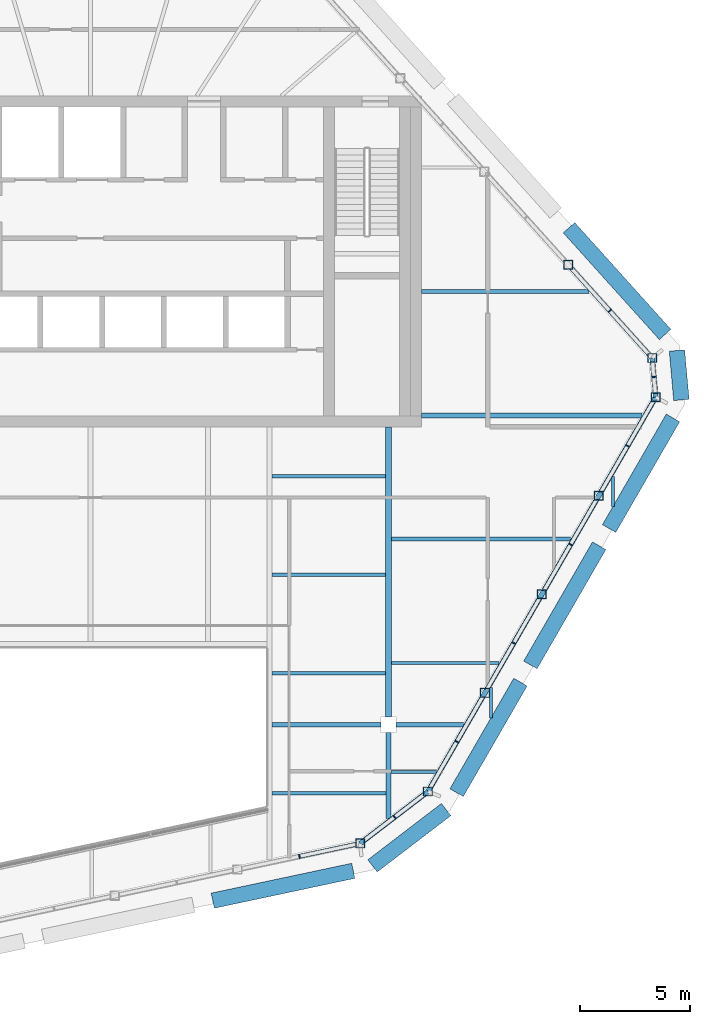
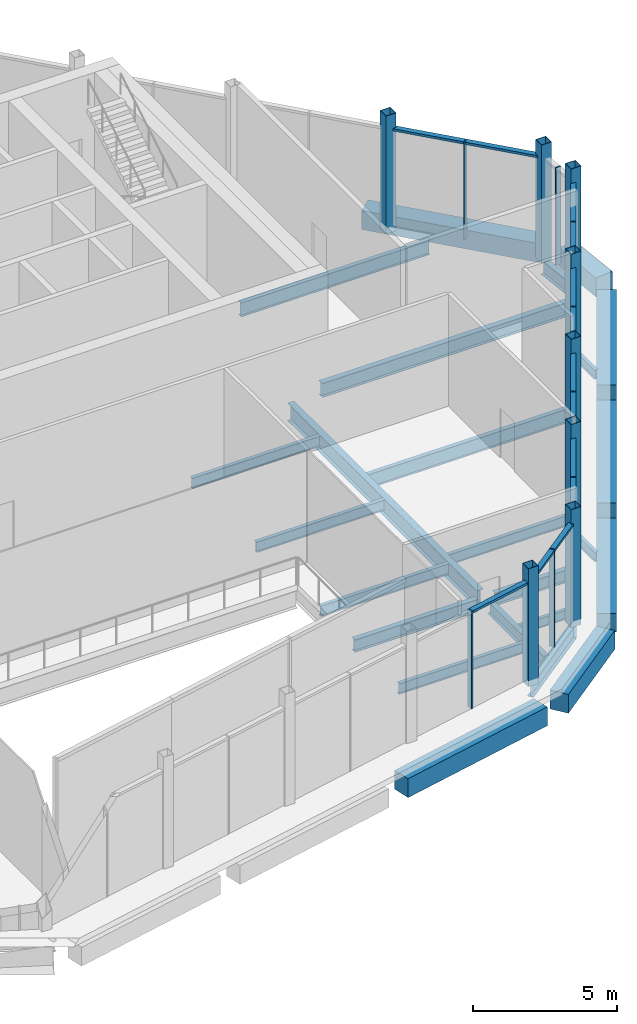
# One storey, part 4 of 12: 29 members, 25 beams, 5 elements without a shape of their own.
"""IFC4 building model written with IfcOpenShell, lengths in metres."""

from ifc_helpers import new_model, si_unit, direction, frame, origin, origin_2d, place, context, subcontext, project, spatial, rectangle, hollow_rectangle, i_section, extrude, material, layer, layer_set, material_profile, profile_set, type_object, element, aggregate, save


model = new_model("IFC4")

# Units and contexts
model_context = context("Model", 3, precision=1e-05, world=origin(), true_north=direction((0.0, 1.0)))
body_context = subcontext(model_context, "Body", "Model", "MODEL_VIEW")
ifc_project = project(units=[si_unit("LENGTHUNIT", "METRE"), si_unit("AREAUNIT", "SQUARE_METRE"), si_unit("VOLUMEUNIT", "CUBIC_METRE"), si_unit("PLANEANGLEUNIT", "RADIAN"), si_unit("MASSUNIT", "GRAM", prefix="KILO")], contexts=[model_context])

# Site, building, storey
site_placement = place(None, origin())
site = spatial("IfcSite", under=ifc_project, at=site_placement, CompositionType="ELEMENT")
building_placement = place(site_placement, origin())
building = spatial("IfcBuilding", under=site, at=building_placement, Name="Isthmus Gate Tower", CompositionType="ELEMENT")
storey_placement = place(building_placement, frame((0.0, 0.0, 301.10009765625)))
storey = spatial("IfcBuildingStorey", under=building, at=storey_placement, Name="C1", CompositionType="ELEMENT", Elevation=301.10009765625)

# Members
ifc_material_1 = material(Name="Structural steel ASTM A500 Gr C", Category="steel")
ifc_material_profile_1 = material_profile(ifc_material_1, hollow_rectangle(XDim=0.406494140625, YDim=0.406494140625, WallThickness=0.017578125, at=origin_2d()), Name="HSS16X16X3/4")
ifc_profile_set_1 = profile_set([ifc_material_profile_1], Name="Structural steel ASTM A500 Gr C")
member_type_1 = type_object("IfcMemberType", Name="CROWN POST HSS16X16X3/4", PredefinedType="POST", material=ifc_profile_set_1)
for number, where, z_axis, x_axis, name in (
    (1, (12.215087890625, -18.8701171875, -0.25), (0.0, 0.0, 1.0), (1.0, 0.0, 0.0), "str-crownpost-C1-20"),
    (2, (15.28955078125, -16.517822265625, -0.25), (0.0, 0.0, 1.0), (1.0, 0.0, 0.0), "str-crownpost-C1-21"),
    (3, (17.8681640625, -12.05126953125, -0.25), (0.0, 0.0, 1.0), (1.0, 0.0, 0.0), "str-crownpost-C1-22"),
    (4, (20.44677734375, -7.5849609375, -0.25), (0.0, 0.0, 1.0), (1.0, 0.0, 0.0), "str-crownpost-C1-23"),
    (5, (23.025634765625, -3.11865234375, -0.25), (0.0, 0.0, 1.0), (1.0, 0.0, 0.0), "str-crownpost-C1-24"),
    (6, (25.604248046875, 1.347900390625, -0.25), (0.0, 0.0, 1.0), (1.0, 0.0, 0.0), "str-crownpost-C1-25"),
    (7, (25.445068359375, 3.120361328125, -0.25), (0.0, 0.0, 1.0), (1.0, 0.0, 0.0), "str-crownpost-C1-26"),
    (8, (21.642333984375, 7.34375, -0.25), (0.0, 0.0, 1.0), (1.0, 0.0, 0.0), "str-crownpost-C1-27"),
):
    element("IfcMember", number, at=place(storey_placement, frame(where, z_axis=z_axis, x_axis=x_axis)), inside=storey, type_object=member_type_1, Name=name, PredefinedType="POST", context=body_context, shape_type="SweptSolid", body=[
        extrude(hollow_rectangle(XDim=0.406494140625, YDim=0.406494140625, WallThickness=0.017578125, at=origin_2d()), origin(), (0.0, 0.0, 1.0), 5.0),
    ])

# Beams
ifc_material_2 = material(Name="Structural steel ASTM A992 Gr 50", Category="steel")
ifc_material_profile_2 = material_profile(ifc_material_2, i_section(OverallWidth=0.231689453125, OverallDepth=0.615966796875, WebThickness=0.0126953125, FlangeThickness=0.022216796875, at=origin_2d()), Name="W24X94")
ifc_profile_set_2 = profile_set([ifc_material_profile_2], Name="Structural steel ASTM A992 Gr 50")
beam_type_1 = type_object("IfcBeamType", Name="CROWN RING BEAM W24X94", PredefinedType="BEAM", material=ifc_profile_set_2)
beam_1_placement = place(storey_placement, frame((12.215087890625, -18.8701171875, -0.55810546875), z_axis=(0.794203857672, 0.607651407025, 0.0), x_axis=(-0.607651407025, 0.794203857672, 0.0)))
element("IfcBeam", 9, at=beam_1_placement, inside=storey, type_object=beam_type_1, Name="str-crownring-C1-07", PredefinedType="BEAM", context=body_context, shape_type="SweptSolid", body=[
    extrude(i_section(OverallWidth=0.231689453125, OverallDepth=0.615966796875, WebThickness=0.0126953125, FlangeThickness=0.022216796875, at=origin_2d()), origin(), (0.0, 0.0, 1.0), 3.87109375),
])
beam_2_placement = place(storey_placement, frame((15.28955078125, -16.517822265625, -0.55810546875), z_axis=(0.499996999955, 0.866027135854, 0.0), x_axis=(-0.866027135854, 0.499996999955, 0.0)))
element("IfcBeam", 10, at=beam_2_placement, inside=storey, type_object=beam_type_1, Name="str-crownring-C1-08", PredefinedType="BEAM", context=body_context, shape_type="SweptSolid", body=[
    extrude(i_section(OverallWidth=0.231689453125, OverallDepth=0.615966796875, WebThickness=0.0126953125, FlangeThickness=0.022216796875, at=origin_2d()), origin(), (0.0, 0.0, 1.0), 20.629638671875),
])
beam_3_placement = place(storey_placement, frame((25.604248046875, 1.347900390625, -0.55810546875), z_axis=(-0.089447176589, 0.995991567535, 0.0), x_axis=(-0.995991567535, -0.089447176589, 0.0)))
element("IfcBeam", 11, at=beam_3_placement, inside=storey, type_object=beam_type_1, Name="str-crownring-C1-09", PredefinedType="BEAM", context=body_context, shape_type="SweptSolid", body=[
    extrude(i_section(OverallWidth=0.231689453125, OverallDepth=0.615966796875, WebThickness=0.0126953125, FlangeThickness=0.022216796875, at=origin_2d()), origin(), (0.0, 0.0, 1.0), 1.779541015625),
])

# Curtain wall, member
ifc_material_3 = material(Name="Aluminium, pale champagne anodised", Category="aluminium")
ifc_layer = layer(ifc_material_3, 0.199951171875)
ifc_layer_set = layer_set([ifc_layer], Name="CW-2 LOUVRE CURTAIN WALL 200 DEEP")
curtain_wall_type = type_object("IfcCurtainWallType", Name="CW-2 LOUVRE CURTAIN WALL 200 DEEP", PredefinedType="NOTDEFINED", material=ifc_layer_set)
curtain_wall_1_placement = place(storey_placement, origin())
curtain_wall_1 = element("IfcCurtainWall", 12, at=curtain_wall_1_placement, inside=storey, type_object=curtain_wall_type, Name="CW-2 E06 C1", PredefinedType="NOTDEFINED")
ifc_material_4 = material(Name="Aluminium, pale champagne anodised", Category="aluminium")
ifc_material_profile_3 = material_profile(ifc_material_4, rectangle(XDim=0.06005859375, YDim=0.199951171875, at=origin_2d()), Name="60x200")
ifc_profile_set_3 = profile_set([ifc_material_profile_3], Name="Aluminium, pale champagne anodised")
member_type_2 = type_object("IfcMemberType", Name="CW-2 MULLION 60 X 200", PredefinedType="MULLION", material=ifc_profile_set_3)
member_1_placement = place(storey_placement, frame((9.465087890625, -19.45458984375, 0.0), z_axis=(0.0, 0.0, 1.0), x_axis=(0.978147600734, 0.207911690818, 0.0)))
member_1 = element("IfcMember", 13, at=member_1_placement, type_object=member_type_2, Name="CW-2 mullion", PredefinedType="MULLION", context=body_context, shape_type="SweptSolid", body=[
    extrude(rectangle(XDim=0.06005859375, YDim=0.199951171875, at=origin_2d()), origin(), (0.0, 0.0, 1.0), 4.134033203125),
])

curtain_wall_2_placement = place(storey_placement, origin())
curtain_wall_2 = element("IfcCurtainWall", 14, at=curtain_wall_2_placement, inside=storey, type_object=curtain_wall_type, Name="CW-2 E07 C1", PredefinedType="NOTDEFINED")
member_2_placement = place(storey_placement, frame((13.776123046875, -17.67578125, 0.0), z_axis=(0.0, 0.0, 1.0), x_axis=(0.794188594387, 0.607671355706, 0.0)))
member_2 = element("IfcMember", 15, at=member_2_placement, type_object=member_type_2, Name="CW-2 mullion", PredefinedType="MULLION", context=body_context, shape_type="SweptSolid", body=[
    extrude(rectangle(XDim=0.06005859375, YDim=0.199951171875, at=origin_2d()), origin(), (0.0, 0.0, 1.0), 4.134033203125),
])

# Curtain wall, members
curtain_wall_3_placement = place(storey_placement, origin())
curtain_wall_3 = element("IfcCurtainWall", 16, at=curtain_wall_3_placement, inside=storey, type_object=curtain_wall_type, Name="CW-2 E08 C1", PredefinedType="NOTDEFINED")
member_3_placement = place(storey_placement, frame((16.593994140625, -14.258544921875, 0.0), z_axis=(0.0, 0.0, 1.0), x_axis=(0.5, 0.866025403784, 0.0)))
member_3 = element("IfcMember", 17, at=member_3_placement, type_object=member_type_2, Name="CW-2 mullion", PredefinedType="MULLION", context=body_context, shape_type="SweptSolid", body=[
    extrude(rectangle(XDim=0.06005859375, YDim=0.199951171875, at=origin_2d()), origin(), (0.0, 0.0, 1.0), 4.134033203125),
])
member_4_placement = place(storey_placement, frame((19.172607421875, -9.792236328125, 0.0), z_axis=(0.0, 0.0, 1.0), x_axis=(0.5, 0.866025403784, 0.0)))
member_4 = element("IfcMember", 18, at=member_4_placement, type_object=member_type_2, Name="CW-2 mullion", PredefinedType="MULLION", context=body_context, shape_type="SweptSolid", body=[
    extrude(rectangle(XDim=0.06005859375, YDim=0.199951171875, at=origin_2d()), origin(), (0.0, 0.0, 1.0), 4.134033203125),
])
member_5_placement = place(storey_placement, frame((21.751220703125, -5.32568359375, 0.0), z_axis=(0.0, 0.0, 1.0), x_axis=(0.5, 0.866025403784, 0.0)))
member_5 = element("IfcMember", 19, at=member_5_placement, type_object=member_type_2, Name="CW-2 mullion", PredefinedType="MULLION", context=body_context, shape_type="SweptSolid", body=[
    extrude(rectangle(XDim=0.06005859375, YDim=0.199951171875, at=origin_2d()), origin(), (0.0, 0.0, 1.0), 4.134033203125),
])
member_6_placement = place(storey_placement, frame((24.329833984375, -0.859375, 0.0), z_axis=(0.0, 0.0, 1.0), x_axis=(0.5, 0.866025403784, 0.0)))
member_6 = element("IfcMember", 20, at=member_6_placement, type_object=member_type_2, Name="CW-2 mullion", PredefinedType="MULLION", context=body_context, shape_type="SweptSolid", body=[
    extrude(rectangle(XDim=0.06005859375, YDim=0.199951171875, at=origin_2d()), origin(), (0.0, 0.0, 1.0), 4.134033203125),
])

# Curtain wall, member
curtain_wall_4_placement = place(storey_placement, origin())
curtain_wall_4 = element("IfcCurtainWall", 21, at=curtain_wall_4_placement, inside=storey, type_object=curtain_wall_type, Name="CW-2 E09 C1", PredefinedType="NOTDEFINED")
member_7_placement = place(storey_placement, frame((25.52197265625, 2.263916015625, 0.0), z_axis=(0.0, 0.0, 1.0), x_axis=(-0.089396669717, 0.995996102123, 0.0)))
member_7 = element("IfcMember", 22, at=member_7_placement, type_object=member_type_2, Name="CW-2 mullion", PredefinedType="MULLION", context=body_context, shape_type="SweptSolid", body=[
    extrude(rectangle(XDim=0.06005859375, YDim=0.199951171875, at=origin_2d()), origin(), (0.0, 0.0, 1.0), 4.134033203125),
])
aggregate(curtain_wall_4, [member_7])

curtain_wall_5_placement = place(storey_placement, origin())
curtain_wall_5 = element("IfcCurtainWall", 23, at=curtain_wall_5_placement, inside=storey, type_object=curtain_wall_type, Name="CW-2 E10 C1", PredefinedType="NOTDEFINED")
member_8_placement = place(storey_placement, frame((23.523681640625, 5.25439453125, 0.0), z_axis=(0.0, 0.0, 1.0), x_axis=(-0.669130606359, 0.743144825477, 0.0)))
member_8 = element("IfcMember", 24, at=member_8_placement, type_object=member_type_2, Name="CW-2 mullion", PredefinedType="MULLION", context=body_context, shape_type="SweptSolid", body=[
    extrude(rectangle(XDim=0.06005859375, YDim=0.199951171875, at=origin_2d()), origin(), (0.0, 0.0, 1.0), 4.134033203125),
])

# Member
ifc_material_5 = material(Name="Aluminium, pale champagne anodised", Category="aluminium")
ifc_material_profile_4 = material_profile(ifc_material_5, rectangle(XDim=0.199951171875, YDim=0.10009765625, at=origin_2d()), Name="200x100")
ifc_profile_set_4 = profile_set([ifc_material_profile_4], Name="Aluminium, pale champagne anodised")
member_type_3 = type_object("IfcMemberType", Name="CW-2 TRANSOM 200 X 100", PredefinedType="USERDEFINED", material=ifc_profile_set_4)
member_9_placement = place(storey_placement, frame((9.494384765625, -19.448486328125, 4.083984375), z_axis=(0.978142002072, 0.207938028708, 0.0), x_axis=(-0.207938028708, 0.978142002072, 0.0)))
member_9 = element("IfcMember", 25, at=member_9_placement, type_object=member_type_3, Name="CW-2 transom", ObjectType="TRANSOM", PredefinedType="USERDEFINED", context=body_context, shape_type="SweptSolid", body=[
    extrude(rectangle(XDim=0.199951171875, YDim=0.10009765625, at=origin_2d()), origin(), (0.0, 0.0, 1.0), 2.578369140625),
])

aggregate(curtain_wall_1, [member_1, member_9])

member_10_placement = place(storey_placement, frame((12.37646484375, -18.74658203125, 4.083984375), z_axis=(0.794213815853, 0.607638391405, 0.0), x_axis=(-0.607638391405, 0.794213815853, 0.0)))
member_10 = element("IfcMember", 26, at=member_10_placement, type_object=member_type_3, Name="CW-2 transom", ObjectType="TRANSOM", PredefinedType="USERDEFINED", context=body_context, shape_type="SweptSolid", body=[
    extrude(rectangle(XDim=0.199951171875, YDim=0.10009765625, at=origin_2d()), origin(), (0.0, 0.0, 1.0), 1.732421875),
])

member_11_placement = place(storey_placement, frame((13.800048828125, -17.657470703125, 4.083984375), z_axis=(0.794146460454, 0.607726418175, 0.0), x_axis=(-0.607726418175, 0.794146460454, 0.0)))
member_11 = element("IfcMember", 27, at=member_11_placement, type_object=member_type_3, Name="CW-2 transom", ObjectType="TRANSOM", PredefinedType="USERDEFINED", context=body_context, shape_type="SweptSolid", body=[
    extrude(rectangle(XDim=0.199951171875, YDim=0.10009765625, at=origin_2d()), origin(), (0.0, 0.0, 1.0), 1.67236328125),
])

aggregate(curtain_wall_2, [member_10, member_2, member_11])

member_12_placement = place(storey_placement, frame((15.39111328125, -16.341796875, 4.083984375), z_axis=(0.49997450891, 0.866040120572, 0.0), x_axis=(-0.866040120572, 0.49997450891, 0.0)))
member_12 = element("IfcMember", 28, at=member_12_placement, type_object=member_type_3, Name="CW-2 transom", ObjectType="TRANSOM", PredefinedType="USERDEFINED", context=body_context, shape_type="SweptSolid", body=[
    extrude(rectangle(XDim=0.199951171875, YDim=0.10009765625, at=origin_2d()), origin(), (0.0, 0.0, 1.0), 2.37548828125),
])

member_13_placement = place(storey_placement, frame((16.60888671875, -14.232666015625, 4.083984375), z_axis=(0.499971918929, 0.866041615791, 0.0), x_axis=(-0.866041615791, 0.499971918929, 0.0)))
member_13 = element("IfcMember", 29, at=member_13_placement, type_object=member_type_3, Name="CW-2 transom", ObjectType="TRANSOM", PredefinedType="USERDEFINED", context=body_context, shape_type="SweptSolid", body=[
    extrude(rectangle(XDim=0.199951171875, YDim=0.10009765625, at=origin_2d()), origin(), (0.0, 0.0, 1.0), 2.315673828125),
])

member_14_placement = place(storey_placement, frame((17.9697265625, -11.87548828125, 4.083984375), z_axis=(0.49997450891, 0.866040120572, 0.0), x_axis=(-0.866040120572, 0.49997450891, 0.0)))
member_14 = element("IfcMember", 30, at=member_14_placement, type_object=member_type_3, Name="CW-2 transom", ObjectType="TRANSOM", PredefinedType="USERDEFINED", context=body_context, shape_type="SweptSolid", body=[
    extrude(rectangle(XDim=0.199951171875, YDim=0.10009765625, at=origin_2d()), origin(), (0.0, 0.0, 1.0), 2.37548828125),
])

member_15_placement = place(storey_placement, frame((19.1875, -9.76611328125, 4.083984375), z_axis=(0.50001757531, 0.866015256437, 0.0), x_axis=(-0.866015256437, 0.50001757531, 0.0)))
member_15 = element("IfcMember", 31, at=member_15_placement, type_object=member_type_3, Name="CW-2 transom", ObjectType="TRANSOM", PredefinedType="USERDEFINED", context=body_context, shape_type="SweptSolid", body=[
    extrude(rectangle(XDim=0.199951171875, YDim=0.10009765625, at=origin_2d()), origin(), (0.0, 0.0, 1.0), 2.3154296875),
])

member_16_placement = place(storey_placement, frame((20.548583984375, -7.408935546875, 4.083984375), z_axis=(0.500019011276, 0.866014427341, 0.0), x_axis=(-0.866014427341, 0.500019011276, 0.0)))
member_16 = element("IfcMember", 32, at=member_16_placement, type_object=member_type_3, Name="CW-2 transom", ObjectType="TRANSOM", PredefinedType="USERDEFINED", context=body_context, shape_type="SweptSolid", body=[
    extrude(rectangle(XDim=0.199951171875, YDim=0.10009765625, at=origin_2d()), origin(), (0.0, 0.0, 1.0), 2.37548828125),
])

member_17_placement = place(storey_placement, frame((21.76611328125, -5.2998046875, 4.083984375), z_axis=(0.50001757531, 0.866015256437, 0.0), x_axis=(-0.866015256437, 0.50001757531, 0.0)))
member_17 = element("IfcMember", 33, at=member_17_placement, type_object=member_type_3, Name="CW-2 transom", ObjectType="TRANSOM", PredefinedType="USERDEFINED", context=body_context, shape_type="SweptSolid", body=[
    extrude(rectangle(XDim=0.199951171875, YDim=0.10009765625, at=origin_2d()), origin(), (0.0, 0.0, 1.0), 2.3154296875),
])

member_18_placement = place(storey_placement, frame((23.127197265625, -2.942626953125, 4.083984375), z_axis=(0.500019011276, 0.866014427341, 0.0), x_axis=(-0.866014427341, 0.500019011276, 0.0)))
member_18 = element("IfcMember", 34, at=member_18_placement, type_object=member_type_3, Name="CW-2 transom", ObjectType="TRANSOM", PredefinedType="USERDEFINED", context=body_context, shape_type="SweptSolid", body=[
    extrude(rectangle(XDim=0.199951171875, YDim=0.10009765625, at=origin_2d()), origin(), (0.0, 0.0, 1.0), 2.37548828125),
])

member_19_placement = place(storey_placement, frame((24.344970703125, -0.83349609375, 4.083984375), z_axis=(0.499971918929, 0.866041615791, 0.0), x_axis=(-0.866041615791, 0.499971918929, 0.0)))
member_19 = element("IfcMember", 35, at=member_19_placement, type_object=member_type_3, Name="CW-2 transom", ObjectType="TRANSOM", PredefinedType="USERDEFINED", context=body_context, shape_type="SweptSolid", body=[
    extrude(rectangle(XDim=0.199951171875, YDim=0.10009765625, at=origin_2d()), origin(), (0.0, 0.0, 1.0), 2.315673828125),
])

aggregate(curtain_wall_3, [member_12, member_3, member_13, member_14, member_4, member_15, member_16, member_5, member_17, member_18, member_6, member_19])

member_20_placement = place(storey_placement, frame((25.30908203125, 3.271484375, 4.083984375), z_axis=(-0.669123202395, 0.74315149197, 0.0), x_axis=(-0.74315149197, -0.669123202395, 0.0)))
member_20 = element("IfcMember", 36, at=member_20_placement, type_object=member_type_3, Name="CW-2 transom", ObjectType="TRANSOM", PredefinedType="USERDEFINED", context=body_context, shape_type="SweptSolid", body=[
    extrude(rectangle(XDim=0.199951171875, YDim=0.10009765625, at=origin_2d()), origin(), (0.0, 0.0, 1.0), 2.638427734375),
])

member_21_placement = place(storey_placement, frame((23.503662109375, 5.276611328125, 4.083984375), z_axis=(-0.669116417843, 0.743157600629, 0.0), x_axis=(-0.743157600629, -0.669116417843, 0.0)))
member_21 = element("IfcMember", 37, at=member_21_placement, type_object=member_type_3, Name="CW-2 transom", ObjectType="TRANSOM", PredefinedType="USERDEFINED", context=body_context, shape_type="SweptSolid", body=[
    extrude(rectangle(XDim=0.199951171875, YDim=0.10009765625, at=origin_2d()), origin(), (0.0, 0.0, 1.0), 2.57861328125),
])

aggregate(curtain_wall_5, [member_20, member_8, member_21])

# Beams
ifc_material_6 = material(Name="Concrete f'c 50 MPa", Category="concrete")
ifc_material_profile_5 = material_profile(ifc_material_6, rectangle(XDim=0.699951171875, YDim=0.800048828125, at=origin_2d()), Name="RC 700X800")
ifc_profile_set_5 = profile_set([ifc_material_profile_5], Name="Concrete f'c 50 MPa")
beam_type_2 = type_object("IfcBeamType", Name="RC ROOF RING BEAM 700 X 800", PredefinedType="BEAM", material=ifc_profile_set_5)
beam_4_placement = place(storey_placement, frame((21.67822265625, 9.022705078125, -0.650146484375), z_axis=(0.669122265754, -0.743152335307, 0.0), x_axis=(0.743152335307, 0.669122265754, 0.0)))
element("IfcBeam", 38, at=beam_4_placement, inside=storey, type_object=beam_type_2, Name="str-roofring-C1-03", PredefinedType="BEAM", context=body_context, shape_type="SweptSolid", body=[
    extrude(rectangle(XDim=0.699951171875, YDim=0.800048828125, at=origin_2d()), origin(), (0.0, 0.0, 1.0), 6.506591796875),
])
beam_5_placement = place(storey_placement, frame((26.5693359375, 3.459716796875, -0.650146484375), z_axis=(0.089359478208, -0.995999439585, 0.0), x_axis=(0.995999439585, 0.089359478208, 0.0)))
element("IfcBeam", 39, at=beam_5_placement, inside=storey, type_object=beam_type_2, Name="str-roofring-C1-04", PredefinedType="BEAM", context=body_context, shape_type="SweptSolid", body=[
    extrude(rectangle(XDim=0.699951171875, YDim=0.800048828125, at=origin_2d()), origin(), (0.0, 0.0, 1.0), 2.245849609375),
])
beam_6_placement = place(storey_placement, frame((26.387451171875, 0.404541015625, -0.650146484375), z_axis=(-0.499979418648, -0.866037286108, 0.0), x_axis=(0.866037286108, -0.499979418648, 0.0)))
element("IfcBeam", 40, at=beam_6_placement, inside=storey, type_object=beam_type_2, Name="str-roofring-C1-05", PredefinedType="BEAM", context=body_context, shape_type="SweptSolid", body=[
    extrude(rectangle(XDim=0.699951171875, YDim=0.800048828125, at=origin_2d()), origin(), (0.0, 0.0, 1.0), 5.784423828125),
])
beam_7_placement = place(storey_placement, frame((23.045166015625, -5.384521484375, -0.650146484375), z_axis=(-0.499997027648, -0.866027119866, 0.0), x_axis=(0.866027119866, -0.499997027648, 0.0)))
element("IfcBeam", 41, at=beam_7_placement, inside=storey, type_object=beam_type_2, Name="str-roofring-C1-06", PredefinedType="BEAM", context=body_context, shape_type="SweptSolid", body=[
    extrude(rectangle(XDim=0.699951171875, YDim=0.800048828125, at=origin_2d()), origin(), (0.0, 0.0, 1.0), 6.234375),
])
beam_8_placement = place(storey_placement, frame((19.47802734375, -11.56298828125, -0.650146484375), z_axis=(-0.499992798144, -0.866029561738, 0.0), x_axis=(0.866029561738, -0.499992798144, 0.0)))
element("IfcBeam", 42, at=beam_8_placement, inside=storey, type_object=beam_type_2, Name="str-roofring-C1-07", PredefinedType="BEAM", context=body_context, shape_type="SweptSolid", body=[
    extrude(rectangle(XDim=0.699951171875, YDim=0.800048828125, at=origin_2d()), origin(), (0.0, 0.0, 1.0), 5.78466796875),
])
beam_9_placement = place(storey_placement, frame((16.110595703125, -17.337646484375, -0.650146484375), z_axis=(-0.794204252251, -0.607650891307, 0.0), x_axis=(0.607650891307, -0.794204252251, 0.0)))
element("IfcBeam", 43, at=beam_9_placement, inside=storey, type_object=beam_type_2, Name="str-roofring-C1-08", PredefinedType="BEAM", context=body_context, shape_type="SweptSolid", body=[
    extrude(rectangle(XDim=0.699951171875, YDim=0.800048828125, at=origin_2d()), origin(), (0.0, 0.0, 1.0), 4.197021484375),
])
beam_10_placement = place(storey_placement, frame((11.90478515625, -20.11181640625, -0.650146484375), z_axis=(-0.978148646173, -0.207906772352, 0.0), x_axis=(0.207906772352, -0.978148646173, 0.0)))
element("IfcBeam", 44, at=beam_10_placement, inside=storey, type_object=beam_type_2, Name="str-roofring-C1-09", PredefinedType="BEAM", context=body_context, shape_type="SweptSolid", body=[
    extrude(rectangle(XDim=0.699951171875, YDim=0.800048828125, at=origin_2d()), origin(), (0.0, 0.0, 1.0), 6.506591796875),
])
ifc_material_7 = material(Name="Structural steel ASTM A992 Gr 50", Category="steel")
ifc_material_profile_6 = material_profile(ifc_material_7, i_section(OverallWidth=0.1396484375, OverallDepth=0.4033203125, WebThickness=0.00634765625, FlangeThickness=0.010986328125, at=origin_2d()), Name="W16X31")
ifc_profile_set_6 = profile_set([ifc_material_profile_6], Name="Structural steel ASTM A992 Gr 50")
beam_type_3 = type_object("IfcBeamType", Name="STEEL FLOOR BEAM W16X31", PredefinedType="JOIST", material=ifc_profile_set_6)
beam_11_placement = place(storey_placement, frame((13.604736328125, -15.6328125, -0.45166015625), z_axis=(1.0, 0.0, 0.0), x_axis=(0.0, 1.0, 0.0)))
element("IfcBeam", 45, at=beam_11_placement, inside=storey, type_object=beam_type_3, Name="str-beam-C1-09-00", PredefinedType="JOIST", context=body_context, shape_type="SweptSolid", body=[
    extrude(i_section(OverallWidth=0.1396484375, OverallDepth=0.4033203125, WebThickness=0.00634765625, FlangeThickness=0.010986328125, at=origin_2d()), origin(), (0.0, 0.0, 1.0), 2.061767578125),
])
ifc_material_8 = material(Name="Structural steel ASTM A992 Gr 50", Category="steel")
ifc_material_profile_7 = material_profile(ifc_material_8, i_section(OverallWidth=0.15234375, OverallDepth=0.45068359375, WebThickness=0.0078125, FlangeThickness=0.010986328125, at=origin_2d()), Name="W18X35")
ifc_profile_set_7 = profile_set([ifc_material_profile_7], Name="Structural steel ASTM A992 Gr 50")
beam_type_4 = type_object("IfcBeamType", Name="STEEL FLOOR BEAM W18X35", PredefinedType="JOIST", material=ifc_profile_set_7)
beam_12_placement = place(storey_placement, frame((8.228515625, -16.601806640625, -0.4755859375), z_axis=(1.0, 0.0, 0.0), x_axis=(0.0, 1.0, 0.0)))
element("IfcBeam", 46, at=beam_12_placement, inside=storey, type_object=beam_type_4, Name="str-beam-C1-07-00", PredefinedType="JOIST", context=body_context, shape_type="SweptSolid", body=[
    extrude(i_section(OverallWidth=0.15234375, OverallDepth=0.45068359375, WebThickness=0.0078125, FlangeThickness=0.010986328125, at=origin_2d()), origin(), (0.0, 0.0, 1.0), 5.166748046875),
])
for number, where, z_axis, x_axis, name in (
    (47, (8.228515625, -11.16259765625, -0.4755859375), (1.0, 0.0, 0.0), (0.0, 1.0, 0.0), "str-beam-C1-08-00"),
    (48, (8.228515625, -6.697509765625, -0.4755859375), (1.0, 0.0, 0.0), (0.0, 1.0, 0.0), "str-beam-C1-08-01"),
    (49, (8.228515625, -2.232421875, -0.4755859375), (1.0, 0.0, 0.0), (0.0, 1.0, 0.0), "str-beam-C1-08-02"),
):
    element("IfcBeam", number, at=place(storey_placement, frame(where, z_axis=z_axis, x_axis=x_axis)), inside=storey, type_object=beam_type_4, Name=name, PredefinedType="JOIST", context=body_context, shape_type="SweptSolid", body=[
        extrude(i_section(OverallWidth=0.15234375, OverallDepth=0.45068359375, WebThickness=0.0078125, FlangeThickness=0.010986328125, at=origin_2d()), origin(), (0.0, 0.0, 1.0), 5.1396484375),
    ])
beam_13_placement = place(storey_placement, frame((13.6318359375, -10.6953125, -0.4755859375), z_axis=(1.0, 0.0, 0.0), x_axis=(0.0, 1.0, 0.0)))
element("IfcBeam", 50, at=beam_13_placement, inside=storey, type_object=beam_type_4, Name="str-beam-C1-10-00", PredefinedType="JOIST", context=body_context, shape_type="SweptSolid", body=[
    extrude(i_section(OverallWidth=0.15234375, OverallDepth=0.45068359375, WebThickness=0.0078125, FlangeThickness=0.010986328125, at=origin_2d()), origin(), (0.0, 0.0, 1.0), 4.885498046875),
])
ifc_material_9 = material(Name="Structural steel ASTM A992 Gr 50", Category="steel")
ifc_material_profile_8 = material_profile(ifc_material_9, i_section(OverallWidth=0.177734375, OverallDepth=0.60009765625, WebThickness=0.009521484375, FlangeThickness=0.0126953125, at=origin_2d()), Name="W24X55")
ifc_profile_set_8 = profile_set([ifc_material_profile_8], Name="Structural steel ASTM A992 Gr 50")
beam_type_5 = type_object("IfcBeamType", Name="STEEL FLOOR BEAM W24X55", PredefinedType="JOIST", material=ifc_profile_set_8)
beam_14_placement = place(storey_placement, frame((13.6318359375, -5.085693359375, -0.550048828125), z_axis=(1.0, 0.0, 0.0), x_axis=(0.0, 1.0, 0.0)))
element("IfcBeam", 51, at=beam_14_placement, inside=storey, type_object=beam_type_5, Name="str-beam-C1-10-01", PredefinedType="JOIST", context=body_context, shape_type="SweptSolid", body=[
    extrude(i_section(OverallWidth=0.177734375, OverallDepth=0.60009765625, WebThickness=0.009521484375, FlangeThickness=0.0126953125, at=origin_2d()), origin(), (0.0, 0.0, 1.0), 8.124267578125),
])
beam_15_placement = place(storey_placement, frame((15.0, 6.13330078125, -0.550048828125), z_axis=(1.0, 0.0, 0.0), x_axis=(0.0, 1.0, 0.0)))
element("IfcBeam", 52, at=beam_15_placement, inside=storey, type_object=beam_type_5, Name="str-beam-C1-10-03", PredefinedType="JOIST", context=body_context, shape_type="SweptSolid", body=[
    extrude(i_section(OverallWidth=0.177734375, OverallDepth=0.60009765625, WebThickness=0.009521484375, FlangeThickness=0.0126953125, at=origin_2d()), origin(), (0.0, 0.0, 1.0), 7.576171875),
])
ifc_material_10 = material(Name="Structural steel ASTM A992 Gr 50", Category="steel")
ifc_material_profile_9 = material_profile(ifc_material_10, i_section(OverallWidth=0.228515625, OverallDepth=0.603271484375, WebThickness=0.010986328125, FlangeThickness=0.014404296875, at=origin_2d()), Name="W24X68")
ifc_profile_set_9 = profile_set([ifc_material_profile_9], Name="Structural steel ASTM A992 Gr 50")
beam_type_6 = type_object("IfcBeamType", Name="STEEL FLOOR BEAM W24X68", PredefinedType="JOIST", material=ifc_profile_set_9)
beam_16_placement = place(storey_placement, frame((15.0, 0.52392578125, -0.5517578125), z_axis=(1.0, 0.0, 0.0), x_axis=(0.0, 1.0, 0.0)))
element("IfcBeam", 53, at=beam_16_placement, inside=storey, type_object=beam_type_6, Name="str-beam-C1-10-02", PredefinedType="JOIST", context=body_context, shape_type="SweptSolid", body=[
    extrude(i_section(OverallWidth=0.228515625, OverallDepth=0.603271484375, WebThickness=0.010986328125, FlangeThickness=0.014404296875, at=origin_2d()), origin(), (0.0, 0.0, 1.0), 9.99462890625),
])
ifc_material_11 = material(Name="Structural steel ASTM A992 Gr 50", Category="steel")
ifc_material_profile_10 = material_profile(ifc_material_11, i_section(OverallWidth=0.20947265625, OverallDepth=0.533447265625, WebThickness=0.009521484375, FlangeThickness=0.015869140625, at=origin_2d()), Name="W21X62")
ifc_profile_set_10 = profile_set([ifc_material_profile_10], Name="Structural steel ASTM A992 Gr 50")
beam_type_7 = type_object("IfcBeamType", Name="STEEL GIRDER W21X62", PredefinedType="BEAM", material=ifc_profile_set_10)
beam_17_placement = place(storey_placement, frame((8.228515625, -13.5, -0.516845703125), z_axis=(1.0, 0.0, 0.0), x_axis=(0.0, 1.0, 0.0)))
element("IfcBeam", 54, at=beam_17_placement, inside=storey, type_object=beam_type_7, Name="str-girder-C1-03", PredefinedType="BEAM", context=body_context, shape_type="SweptSolid", body=[
    extrude(i_section(OverallWidth=0.20947265625, OverallDepth=0.533447265625, WebThickness=0.009521484375, FlangeThickness=0.015869140625, at=origin_2d()), origin(), (0.0, 0.0, 1.0), 4.92138671875),
])
beam_18_placement = place(storey_placement, frame((13.85009765625, -13.5, -0.516845703125), z_axis=(1.0, 0.0, 0.0), x_axis=(0.0, 1.0, 0.0)))
element("IfcBeam", 55, at=beam_18_placement, inside=storey, type_object=beam_type_7, Name="str-girder-C1-04", PredefinedType="BEAM", context=body_context, shape_type="SweptSolid", body=[
    extrude(i_section(OverallWidth=0.20947265625, OverallDepth=0.533447265625, WebThickness=0.009521484375, FlangeThickness=0.015869140625, at=origin_2d()), origin(), (0.0, 0.0, 1.0), 3.0478515625),
])
beam_19_placement = place(storey_placement, frame((13.5, -17.740966796875, -0.516845703125), z_axis=(0.0, 1.0, 0.0), x_axis=(-1.0, 0.0, 0.0)))
element("IfcBeam", 56, at=beam_19_placement, inside=storey, type_object=beam_type_7, Name="str-girder-C1-07", PredefinedType="BEAM", context=body_context, shape_type="SweptSolid", body=[
    extrude(i_section(OverallWidth=0.20947265625, OverallDepth=0.533447265625, WebThickness=0.009521484375, FlangeThickness=0.015869140625, at=origin_2d()), origin(), (0.0, 0.0, 1.0), 3.890869140625),
])
ifc_material_12 = material(Name="Structural steel ASTM A992 Gr 50", Category="steel")
ifc_material_profile_11 = material_profile(ifc_material_12, i_section(OverallWidth=0.263427734375, OverallDepth=0.749267578125, WebThickness=0.0126953125, FlangeThickness=0.015869140625, at=origin_2d()), Name="W30X90")
ifc_profile_set_11 = profile_set([ifc_material_profile_11], Name="Structural steel ASTM A992 Gr 50")
beam_type_8 = type_object("IfcBeamType", Name="STEEL GIRDER W30X90", PredefinedType="BEAM", material=ifc_profile_set_11)
beam_20_placement = place(storey_placement, frame((13.5, -13.14990234375, -0.624755859375), z_axis=(0.0, 1.0, 0.0), x_axis=(-1.0, 0.0, 0.0)))
element("IfcBeam", 57, at=beam_20_placement, inside=storey, type_object=beam_type_8, Name="str-girder-C1-08", PredefinedType="BEAM", context=body_context, shape_type="SweptSolid", body=[
    extrude(i_section(OverallWidth=0.263427734375, OverallDepth=0.749267578125, WebThickness=0.0126953125, FlangeThickness=0.015869140625, at=origin_2d()), origin(), (0.0, 0.0, 1.0), 13.14990234375),
])
ifc_material_13 = material(Name="Structural steel ASTM A992 Gr 50", Category="steel")
ifc_material_profile_12 = material_profile(ifc_material_13, i_section(OverallWidth=0.1396484375, OverallDepth=0.4033203125, WebThickness=0.00634765625, FlangeThickness=0.010986328125, at=origin_2d()), Name="W16X31")
ifc_profile_set_12 = profile_set([ifc_material_profile_12], Name="Structural steel ASTM A992 Gr 50")
beam_type_9 = type_object("IfcBeamType", Name="STEEL LEDGE BEAM W16X31", PredefinedType="JOIST", material=ifc_profile_set_12)
for number, where, z_axis, x_axis, name in (
    (58, (18.14208984375, -13.177001953125, -0.45166015625), (0.0, 1.0, 0.0), (-1.0, 0.0, 0.0), "str-ringbeam-C1-00-03"),
    (59, (23.6630859375, -3.6142578125, -0.45166015625), (0.0, 1.0, 0.0), (-1.0, 0.0, 0.0), "str-ringbeam-C1-00-04"),
):
    element("IfcBeam", number, at=place(storey_placement, frame(where, z_axis=z_axis, x_axis=x_axis)), inside=storey, type_object=beam_type_9, Name=name, PredefinedType="JOIST", context=body_context, shape_type="SweptSolid", body=[
        extrude(i_section(OverallWidth=0.1396484375, OverallDepth=0.4033203125, WebThickness=0.00634765625, FlangeThickness=0.010986328125, at=origin_2d()), origin(), (0.0, 0.0, 1.0), 1.35986328125),
    ])

save(model, "model.ifc")
